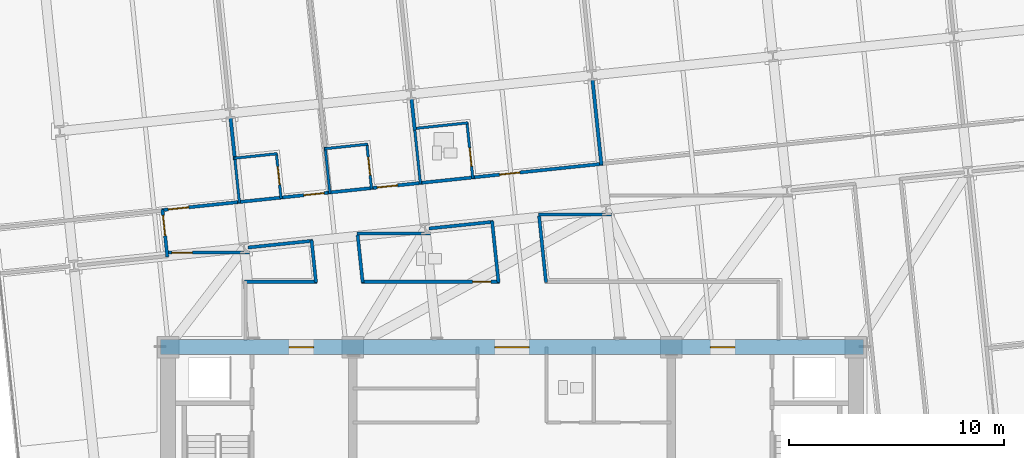
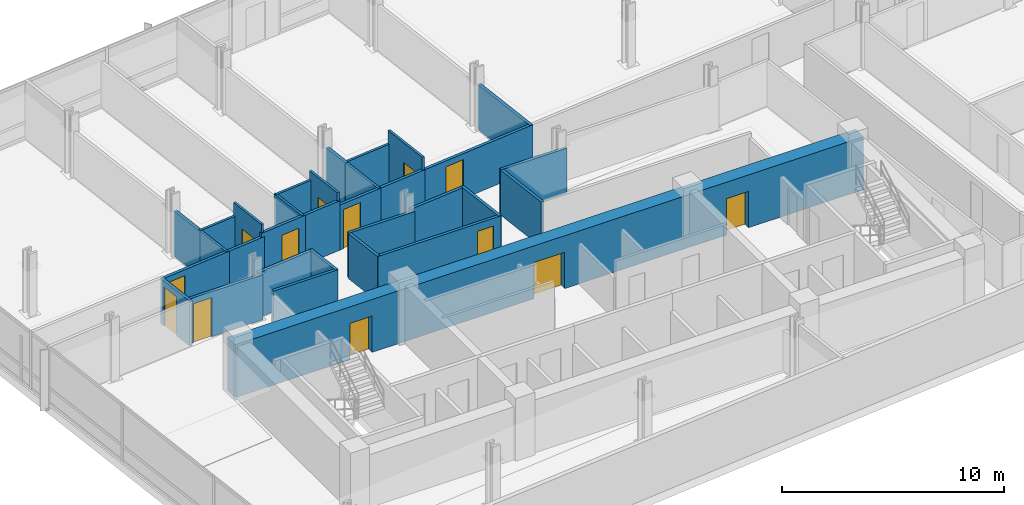
# One storey, part 11 of 18: 32 walls, 13 doors, 13 openings.
"""IFC4 building model written with IfcOpenShell, lengths in metres."""

from ifc_helpers import new_model, si_unit, direction, frame, frame_2d, origin, place, context, subcontext, project, spatial, rectangle, extrude, material, layer, layer_set, type_object, element, fill, save


model = new_model("IFC4")

# Units and contexts
model_context = context("Model", 3, precision=1e-05, world=origin(), true_north=direction((0.0, 1.0)))
body_context = subcontext(model_context, "Body", "Model", "MODEL_VIEW")
ifc_project = project(units=[si_unit("LENGTHUNIT", "METRE"), si_unit("AREAUNIT", "SQUARE_METRE"), si_unit("VOLUMEUNIT", "CUBIC_METRE"), si_unit("PLANEANGLEUNIT", "RADIAN"), si_unit("MASSUNIT", "GRAM", prefix="KILO")], contexts=[model_context])

# Site, building, storey
site_placement = place(None, origin())
site = spatial("IfcSite", under=ifc_project, at=site_placement, CompositionType="ELEMENT")
building_placement = place(site_placement, origin())
building = spatial("IfcBuilding", under=site, at=building_placement, Name="Solmavex Isthmus Hotel", CompositionType="ELEMENT")
storey_placement = place(building_placement, frame((0.0, 0.0, 80.10009765625)))
storey = spatial("IfcBuildingStorey", under=building, at=storey_placement, Name="L21", CompositionType="ELEMENT", Elevation=80.10009765625)

# Walls
ifc_material_1 = material(Name="Gypsum plasterboard lining", Category="gypsum")
ifc_layer_1 = layer(ifc_material_1, 0.159912109375)
ifc_layer_set_1 = layer_set([ifc_layer_1], Name="Gypsum plasterboard lining")
wall_type_1 = type_object("IfcWallType", Name="IW-COMP-160", PredefinedType="PARTITIONING", material=ifc_layer_set_1)
wall_1_placement = place(storey_placement, frame((-13.0986328125, 8.206787109375, 0.0), z_axis=(0.0, 0.0, 1.0), x_axis=(0.104545242946, -0.99452013161, 0.0)))
element("IfcWall", 1, at=wall_1_placement, inside=storey, type_object=wall_type_1, Name="Interior Partition Wall W-L21-P037", PredefinedType="PARTITIONING", context=body_context, shape_type="SweptSolid", body=[
    extrude(rectangle(XDim=2.003662109375, YDim=0.159912109375, at=frame_2d((1.001953125, 0.0))), origin(), (0.0, 0.0, 1.0), 2.4794921875),
])
wall_2_placement = place(storey_placement, frame((-4.678955078125, 9.091796875, 0.0), z_axis=(0.0, 0.0, 1.0), x_axis=(0.104549570968, -0.994519676633, 0.0)))
element("IfcWall", 2, at=wall_2_placement, inside=storey, type_object=wall_type_1, Name="Interior Partition Wall W-L21-P048", PredefinedType="PARTITIONING", context=body_context, shape_type="SweptSolid", body=[
    extrude(rectangle(XDim=1.50390625, YDim=0.159912109375, at=frame_2d((0.751953125, 0.0))), origin(), (0.0, 0.0, 1.0), 2.4794921875),
])
wall_3_placement = place(storey_placement, frame((3.740478515625, 9.976806640625, 0.0), z_axis=(0.0, 0.0, 1.0), x_axis=(0.104551732594, -0.994519449388, 0.0)))
element("IfcWall", 3, at=wall_3_placement, inside=storey, type_object=wall_type_1, Name="Interior Partition Wall W-L21-P054", PredefinedType="PARTITIONING", context=body_context, shape_type="SweptSolid", body=[
    extrude(rectangle(XDim=4.01171875, YDim=0.159912109375, at=frame_2d((2.005859375, 0.0))), origin(), (0.0, 0.0, 1.0), 2.4794921875),
])

# Wall, opening, door
ifc_layer_2 = layer(ifc_material_1, 0.14990234375)
ifc_layer_set_2 = layer_set([ifc_layer_2], Name="Gypsum plasterboard lining")
wall_type_2 = type_object("IfcWallType", Name="IW-CORR-150", PredefinedType="PARTITIONING", material=ifc_layer_set_2)
wall_4_placement = place(storey_placement, frame((-16.303466796875, 3.87646484375, 0.0), z_axis=(0.0, 0.0, 1.0), x_axis=(0.994525204328, 0.104496975826, 0.0)))
wall_4 = element("IfcWall", 4, at=wall_4_placement, inside=storey, type_object=wall_type_2, Name="Interior Partition Wall W-L21-P001", PredefinedType="PARTITIONING", context=body_context, shape_type="SweptSolid", body=[
    extrude(rectangle(XDim=3.7216796875, YDim=0.14990234375, at=frame_2d((1.86083984375, 0.0))), origin(), (0.0, 0.0, 1.0), 2.4794921875),
])
opening_1_placement = place(wall_4_placement, frame((0.315185546875, 0.0, 0.0)))
opening_1 = element("IfcOpeningElement", 5, at=opening_1_placement, cuts=wall_4, Name="Opening ID-C095", PredefinedType="OPENING", context=body_context, shape_type="SweptSolid", body=[
    extrude(rectangle(XDim=0.949951171875, YDim=2.14990234375, at=frame_2d((0.47509765625, 1.074951171875))), frame((0.0, 0.0849609375, 0.0), z_axis=(0.0, -1.0, 0.0), x_axis=(1.0, 0.0, 0.0)), (0.0, 0.0, 1.0), 0.169921875),
])
ifc_material_2 = material(Name="Hardwood timber", Category="wood")
door_type_1 = type_object("IfcDoorType", Name="IDR-FD60-0950", OperationType="NOTDEFINED", PredefinedType="DOOR", material=ifc_material_2)
door_1_placement = place(opening_1_placement, origin())
door_1 = element("IfcDoor", 6, at=door_1_placement, inside=storey, type_object=door_type_1, Name="Corporate Briefing Office Door L21-01", OperationType="SINGLE_SWING_LEFT", OverallHeight=2.14990234375, OverallWidth=0.949951171875, PredefinedType="DOOR", context=body_context, shape_type="SweptSolid", body=[
    extrude(rectangle(XDim=0.949951171875, YDim=2.14990234375, at=frame_2d((0.47509765625, 1.074951171875))), frame((0.0, 0.02490234375, 0.0), z_axis=(0.0, -1.0, 0.0), x_axis=(1.0, 0.0, 0.0)), (0.0, 0.0, 1.0), 0.050048828125),
])
fill(opening_1, door_1)

wall_5_placement = place(storey_placement, frame((-10.82861328125, 4.451904296875, 0.0), z_axis=(0.0, 0.0, 1.0), x_axis=(0.994531631715, 0.104435786577, 0.0)))
wall_5 = element("IfcWall", 7, at=wall_5_placement, inside=storey, type_object=wall_type_2, Name="Interior Partition Wall W-L21-P002", PredefinedType="PARTITIONING", context=body_context, shape_type="SweptSolid", body=[
    extrude(rectangle(XDim=2.449951171875, YDim=0.14990234375, at=frame_2d((1.22509765625, 0.0))), origin(), (0.0, 0.0, 1.0), 2.718017578125),
])
opening_2_placement = place(wall_5_placement, frame((1.14794921875, 0.0, 0.0)))
opening_2 = element("IfcOpeningElement", 8, at=opening_2_placement, cuts=wall_5, Name="Opening ID-C095", PredefinedType="OPENING", context=body_context, shape_type="SweptSolid", body=[
    extrude(rectangle(XDim=0.949951171875, YDim=2.14990234375, at=frame_2d((0.47509765625, 1.074951171875))), frame((0.0, 0.0849609375, 0.0), z_axis=(0.0, -1.0, 0.0), x_axis=(1.0, 0.0, 0.0)), (0.0, 0.0, 1.0), 0.169921875),
])
door_2_placement = place(opening_2_placement, origin())
door_2 = element("IfcDoor", 9, at=door_2_placement, inside=storey, type_object=door_type_1, Name="Club Guest Room Door L21-02", OperationType="SINGLE_SWING_RIGHT", OverallHeight=2.14990234375, OverallWidth=0.949951171875, PredefinedType="DOOR", context=body_context, shape_type="SweptSolid", body=[
    extrude(rectangle(XDim=0.949951171875, YDim=2.14990234375, at=frame_2d((0.47509765625, 1.074951171875))), frame((0.0, 0.02490234375, 0.0), z_axis=(0.0, -1.0, 0.0), x_axis=(1.0, 0.0, 0.0)), (0.0, 0.0, 1.0), 0.050048828125),
])
fill(opening_2, door_2)

# Wall
wall_6_placement = place(storey_placement, frame((-12.76513671875, 4.248291015625, 0.0), z_axis=(0.0, 0.0, 1.0), x_axis=(0.994520650134, 0.1045403102, 0.0)))
element("IfcWall", 10, at=wall_6_placement, inside=storey, type_object=wall_type_2, Name="Interior Partition Wall W-L21-P003", PredefinedType="PARTITIONING", context=body_context, shape_type="SweptSolid", body=[
    extrude(rectangle(XDim=2.111083984375, YDim=0.14990234375, at=frame_2d((1.0556640625, 0.0))), origin(), (0.0, 0.0, 1.0), 2.4794921875),
])

# Wall, opening, door
wall_7_placement = place(storey_placement, frame((-6.61865234375, 4.894287109375, 0.0), z_axis=(0.0, 0.0, 1.0), x_axis=(0.99452018747, 0.10454471156, 0.0)))
wall_7 = element("IfcWall", 11, at=wall_7_placement, inside=storey, type_object=wall_type_2, Name="Interior Partition Wall W-L21-P004", PredefinedType="PARTITIONING", context=body_context, shape_type="SweptSolid", body=[
    extrude(rectangle(XDim=2.44970703125, YDim=0.14990234375, at=frame_2d((1.224853515625, 0.0))), origin(), (0.0, 0.0, 1.0), 2.4794921875),
])
opening_3_placement = place(wall_7_placement, frame((0.351806640625, 0.0, 0.0)))
opening_3 = element("IfcOpeningElement", 12, at=opening_3_placement, cuts=wall_7, Name="Opening ID-C095", PredefinedType="OPENING", context=body_context, shape_type="SweptSolid", body=[
    extrude(rectangle(XDim=0.949951171875, YDim=2.14990234375, at=frame_2d((0.47509765625, 1.074951171875))), frame((0.0, 0.0849609375, 0.0), z_axis=(0.0, -1.0, 0.0), x_axis=(1.0, 0.0, 0.0)), (0.0, 0.0, 1.0), 0.169921875),
])
door_3_placement = place(opening_3_placement, origin())
door_3 = element("IfcDoor", 13, at=door_3_placement, inside=storey, type_object=door_type_1, Name="Accessible Guest Room Door L21-04", OperationType="SINGLE_SWING_RIGHT", OverallHeight=2.14990234375, OverallWidth=0.949951171875, PredefinedType="DOOR", context=body_context, shape_type="SweptSolid", body=[
    extrude(rectangle(XDim=0.949951171875, YDim=2.14990234375, at=frame_2d((0.47509765625, 1.074951171875))), frame((0.0, 0.02490234375, 0.0), z_axis=(0.0, -1.0, 0.0), x_axis=(1.0, 0.0, 0.0)), (0.0, 0.0, 1.0), 0.050048828125),
])
fill(opening_3, door_3)

# Wall
wall_8_placement = place(storey_placement, frame((-8.55517578125, 4.690673828125, 0.0), z_axis=(0.0, 0.0, 1.0), x_axis=(0.994520650134, 0.1045403102, 0.0)))
element("IfcWall", 14, at=wall_8_placement, inside=storey, type_object=wall_type_2, Name="Interior Partition Wall W-L21-P005", PredefinedType="PARTITIONING", context=body_context, shape_type="SweptSolid", body=[
    extrude(rectangle(XDim=2.111083984375, YDim=0.14990234375, at=frame_2d((1.0556640625, 0.0))), origin(), (0.0, 0.0, 1.0), 2.718017578125),
])

# Wall, opening, door
wall_9_placement = place(storey_placement, frame((-1.908935546875, 5.389404296875, 0.0), z_axis=(0.0, 0.0, 1.0), x_axis=(0.994521891766, 0.104528497542, 0.0)))
wall_9 = element("IfcWall", 15, at=wall_9_placement, inside=storey, type_object=wall_type_2, Name="Interior Partition Wall W-L21-P006", PredefinedType="PARTITIONING", context=body_context, shape_type="SweptSolid", body=[
    extrude(rectangle(XDim=6.18017578125, YDim=0.14990234375, at=frame_2d((3.090087890625, 0.0))), origin(), (0.0, 0.0, 1.0), 2.4794921875),
])
opening_4_placement = place(wall_9_placement, frame((1.333984375, 0.0, 0.0)))
opening_4 = element("IfcOpeningElement", 16, at=opening_4_placement, cuts=wall_9, Name="Opening ID-C095", PredefinedType="OPENING", context=body_context, shape_type="SweptSolid", body=[
    extrude(rectangle(XDim=0.949951171875, YDim=2.14990234375, at=frame_2d((0.47509765625, 1.074951171875))), frame((0.0, 0.0849609375, 0.0), z_axis=(0.0, -1.0, 0.0), x_axis=(1.0, 0.0, 0.0)), (0.0, 0.0, 1.0), 0.169921875),
])
door_4_placement = place(opening_4_placement, origin())
door_4 = element("IfcDoor", 17, at=door_4_placement, inside=storey, type_object=door_type_1, Name="Junior Suite Door L21-06", OperationType="SINGLE_SWING_RIGHT", OverallHeight=2.14990234375, OverallWidth=0.949951171875, PredefinedType="DOOR", context=body_context, shape_type="SweptSolid", body=[
    extrude(rectangle(XDim=0.949951171875, YDim=2.14990234375, at=frame_2d((0.47509765625, 1.074951171875))), frame((0.0, 0.02490234375, 0.0), z_axis=(0.0, -1.0, 0.0), x_axis=(1.0, 0.0, 0.0)), (0.0, 0.0, 1.0), 0.050048828125),
])
fill(opening_4, door_4)

# Walls
wall_10_placement = place(storey_placement, frame((-4.345458984375, 5.13330078125, 0.0), z_axis=(0.0, 0.0, 1.0), x_axis=(0.994523350694, 0.104514615837, 0.0)))
element("IfcWall", 18, at=wall_10_placement, inside=storey, type_object=wall_type_2, Name="Interior Partition Wall W-L21-P007", PredefinedType="PARTITIONING", context=body_context, shape_type="SweptSolid", body=[
    extrude(rectangle(XDim=2.614013671875, YDim=0.14990234375, at=frame_2d((1.30712890625, 0.0))), origin(), (0.0, 0.0, 1.0), 2.4794921875),
])
wall_11_placement = place(storey_placement, frame((-0.626708984375, 0.51025390625, 0.0), z_axis=(0.0, 0.0, 1.0), x_axis=(-0.104569907609, 0.994517538519, 0.0)))
element("IfcWall", 19, at=wall_11_placement, inside=storey, type_object=wall_type_2, Name="Interior Partition Wall W-L21-P010", PredefinedType="PARTITIONING", context=body_context, shape_type="SweptSolid", body=[
    extrude(rectangle(XDim=2.87646484375, YDim=0.14990234375, at=frame_2d((1.438232421875, 0.0))), origin(), (0.0, 0.0, 1.0), 2.4794921875),
])
wall_12_placement = place(storey_placement, frame((-0.883544921875, 3.335205078125, 0.0), z_axis=(0.0, 0.0, 1.0), x_axis=(-0.994522848096, -0.104519398272, 0.0)))
element("IfcWall", 20, at=wall_12_placement, inside=storey, type_object=wall_type_2, Name="Interior Partition Wall W-L21-P011", PredefinedType="PARTITIONING", context=body_context, shape_type="SweptSolid", body=[
    extrude(rectangle(XDim=2.996826171875, YDim=0.14990234375, at=frame_2d((1.49853515625, 0.0))), origin(), (0.0, 0.0, 1.0), 2.4794921875),
])
wall_13_placement = place(storey_placement, frame((-3.7841796875, 2.78857421875, 0.0), z_axis=(0.0, 0.0, 1.0), x_axis=(-1.0, 0.0, 0.0)))
element("IfcWall", 21, at=wall_13_placement, inside=storey, type_object=wall_type_2, Name="Interior Partition Wall W-L21-P012", PredefinedType="PARTITIONING", context=body_context, shape_type="SweptSolid", body=[
    extrude(rectangle(XDim=3.430419921875, YDim=0.14990234375, at=frame_2d((1.71533203125, 0.0))), origin(), (0.0, 0.0, 1.0), 2.4794921875),
])
wall_14_placement = place(storey_placement, frame((-7.178955078125, 2.7138671875, 0.0), z_axis=(0.0, 0.0, 1.0), x_axis=(0.104455355485, -0.994529576589, 0.0)))
element("IfcWall", 22, at=wall_14_placement, inside=storey, type_object=wall_type_2, Name="Interior Partition Wall W-L21-P013", PredefinedType="PARTITIONING", context=body_context, shape_type="SweptSolid", body=[
    extrude(rectangle(XDim=2.2158203125, YDim=0.14990234375, at=frame_2d((1.10791015625, 0.0))), origin(), (0.0, 0.0, 1.0), 2.4794921875),
])

# Wall, opening, door
wall_15_placement = place(storey_placement, frame((-6.99169921875, 0.550048828125, 0.0), z_axis=(0.0, 0.0, 1.0), x_axis=(1.0, 0.0, 0.0)))
wall_15 = element("IfcWall", 23, at=wall_15_placement, inside=storey, type_object=wall_type_2, Name="Interior Partition Wall W-L21-P014", PredefinedType="PARTITIONING", context=body_context, shape_type="SweptSolid", body=[
    extrude(rectangle(XDim=6.400634765625, YDim=0.14990234375, at=frame_2d((3.2001953125, 0.0))), origin(), (0.0, 0.0, 1.0), 2.4794921875),
])
opening_5_placement = place(wall_15_placement, frame((5.16455078125, 0.0, 0.0)))
opening_5 = element("IfcOpeningElement", 24, at=opening_5_placement, cuts=wall_15, Name="Opening ID-R085", PredefinedType="OPENING", context=body_context, shape_type="SweptSolid", body=[
    extrude(rectangle(XDim=0.85009765625, YDim=2.050048828125, at=frame_2d((0.425048828125, 1.02490234375))), frame((0.0, 0.0849609375, 0.0), z_axis=(0.0, -1.0, 0.0), x_axis=(1.0, 0.0, 0.0)), (0.0, 0.0, 1.0), 0.169921875),
])
ifc_material_3 = material(Name="Steel ASTM A500 Grade C", Category="steel")
door_type_2 = type_object("IfcDoorType", Name="IDR-FD60-0850", OperationType="NOTDEFINED", PredefinedType="DOOR", material=ifc_material_3)
door_5_placement = place(opening_5_placement, frame((0.85009765625, 0.0, 0.0), z_axis=(0.0, 0.0, 1.0), x_axis=(-1.0, 0.0, 0.0)))
door_5 = element("IfcDoor", 25, at=door_5_placement, inside=storey, type_object=door_type_2, Name="Accessible Public Restroom WC Door L21-10", OperationType="SINGLE_SWING_RIGHT", OverallHeight=2.050048828125, OverallWidth=0.85009765625, PredefinedType="DOOR", context=body_context, shape_type="SweptSolid", body=[
    extrude(rectangle(XDim=0.85009765625, YDim=2.050048828125, at=frame_2d((0.425048828125, 1.02490234375))), frame((0.0, 0.02490234375, 0.0), z_axis=(0.0, -1.0, 0.0), x_axis=(1.0, 0.0, 0.0)), (0.0, 0.0, 1.0), 0.050048828125),
])
fill(opening_5, door_5)

wall_16_placement = place(storey_placement, frame((-16.034912109375, 1.70263671875, 0.0), z_axis=(0.0, 0.0, 1.0), x_axis=(-0.104512255544, 0.994523598735, 0.0)))
wall_16 = element("IfcWall", 26, at=wall_16_placement, inside=storey, type_object=wall_type_2, Name="Interior Partition Wall W-L21-P016", PredefinedType="PARTITIONING", context=body_context, shape_type="SweptSolid", body=[
    extrude(rectangle(XDim=2.2099609375, YDim=0.14990234375, at=frame_2d((1.10498046875, 0.0))), origin(), (0.0, 0.0, 1.0), 2.4794921875),
])
opening_6_placement = place(wall_16_placement, frame((0.98779296875, 0.0, 0.0)))
opening_6 = element("IfcOpeningElement", 27, at=opening_6_placement, cuts=wall_16, Name="Opening ID-C095", PredefinedType="OPENING", context=body_context, shape_type="SweptSolid", body=[
    extrude(rectangle(XDim=0.949951171875, YDim=2.14990234375, at=frame_2d((0.47509765625, 1.074951171875))), frame((0.0, 0.0849609375, 0.0), z_axis=(0.0, -1.0, 0.0), x_axis=(1.0, 0.0, 0.0)), (0.0, 0.0, 1.0), 0.169921875),
])
door_6_placement = place(opening_6_placement, origin())
door_6 = element("IfcDoor", 28, at=door_6_placement, inside=storey, type_object=door_type_1, Name="Concierge Reception Door L21-12", OperationType="SINGLE_SWING_RIGHT", OverallHeight=2.14990234375, OverallWidth=0.949951171875, PredefinedType="DOOR", context=body_context, shape_type="SweptSolid", body=[
    extrude(rectangle(XDim=0.949951171875, YDim=2.14990234375, at=frame_2d((0.47509765625, 1.074951171875))), frame((0.0, 0.02490234375, 0.0), z_axis=(0.0, -1.0, 0.0), x_axis=(1.0, 0.0, 0.0)), (0.0, 0.0, 1.0), 0.050048828125),
])
fill(opening_6, door_6)

# Walls
wall_17_placement = place(storey_placement, frame((4.635498046875, 3.673583984375, 0.0), z_axis=(0.0, 0.0, 1.0), x_axis=(-1.0, 0.0, 0.0)))
element("IfcWall", 29, at=wall_17_placement, inside=storey, type_object=wall_type_2, Name="Interior Partition Wall W-L21-P025", PredefinedType="PARTITIONING", context=body_context, shape_type="SweptSolid", body=[
    extrude(rectangle(XDim=3.41064453125, YDim=0.14990234375, at=frame_2d((1.705322265625, 0.0))), origin(), (0.0, 0.0, 1.0), 2.4794921875),
])
wall_18_placement = place(storey_placement, frame((1.260498046875, 3.600830078125, 0.0), z_axis=(0.0, 0.0, 1.0), x_axis=(0.104488483176, -0.994526096633, 0.0)))
element("IfcWall", 30, at=wall_18_placement, inside=storey, type_object=wall_type_2, Name="Interior Partition Wall W-L21-P026", PredefinedType="PARTITIONING", context=body_context, shape_type="SweptSolid", body=[
    extrude(rectangle(XDim=3.107666015625, YDim=0.14990234375, at=frame_2d((1.5537109375, 0.0))), origin(), (0.0, 0.0, 1.0), 2.4794921875),
])
wall_19_placement = place(storey_placement, frame((-12.43994140625, 0.550048828125, 0.0), z_axis=(0.0, 0.0, 1.0), x_axis=(1.0, 0.0, 0.0)))
element("IfcWall", 31, at=wall_19_placement, inside=storey, type_object=wall_type_2, Name="Interior Partition Wall W-L21-P030", PredefinedType="PARTITIONING", context=body_context, shape_type="SweptSolid", body=[
    extrude(rectangle(XDim=3.3564453125, YDim=0.14990234375, at=frame_2d((1.67822265625, 0.0))), origin(), (0.0, 0.0, 1.0), 2.4794921875),
])
wall_20_placement = place(storey_placement, frame((-9.119384765625, 0.51025390625, 0.0), z_axis=(0.0, 0.0, 1.0), x_axis=(-0.104473893665, 0.994527629351, 0.0)))
element("IfcWall", 32, at=wall_20_placement, inside=storey, type_object=wall_type_2, Name="Interior Partition Wall W-L21-P031", PredefinedType="PARTITIONING", context=body_context, shape_type="SweptSolid", body=[
    extrude(rectangle(XDim=1.98876953125, YDim=0.14990234375, at=frame_2d((0.994384765625, 0.0))), origin(), (0.0, 0.0, 1.0), 2.4794921875),
])
wall_21_placement = place(storey_placement, frame((-9.283203125, 2.452392578125, 0.0), z_axis=(0.0, 0.0, 1.0), x_axis=(-0.994518748051, -0.104558403652, 0.0)))
element("IfcWall", 33, at=wall_21_placement, inside=storey, type_object=wall_type_2, Name="Interior Partition Wall W-L21-P032", PredefinedType="PARTITIONING", context=body_context, shape_type="SweptSolid", body=[
    extrude(rectangle(XDim=3.016845703125, YDim=0.14990234375, at=frame_2d((1.50830078125, 0.0))), origin(), (0.0, 0.0, 1.0), 2.4794921875),
])

# Wall, opening, door
wall_22_placement = place(storey_placement, frame((-12.203857421875, 1.903564453125, 0.0), z_axis=(0.0, 0.0, 1.0), x_axis=(-1.0, 0.0, 0.0)))
wall_22 = element("IfcWall", 34, at=wall_22_placement, inside=storey, type_object=wall_type_2, Name="Interior Partition Wall W-L21-P033", PredefinedType="PARTITIONING", context=body_context, shape_type="SweptSolid", body=[
    extrude(rectangle(XDim=3.875, YDim=0.14990234375, at=frame_2d((1.9375, 0.0))), origin(), (0.0, 0.0, 1.0), 2.4794921875),
])
opening_7_placement = place(wall_22_placement, frame((2.6669921875, 0.0, 0.0)))
opening_7 = element("IfcOpeningElement", 35, at=opening_7_placement, cuts=wall_22, Name="Opening ID-C095", PredefinedType="OPENING", context=body_context, shape_type="SweptSolid", body=[
    extrude(rectangle(XDim=0.949951171875, YDim=2.14990234375, at=frame_2d((0.47509765625, 1.074951171875))), frame((0.0, 0.0849609375, 0.0), z_axis=(0.0, -1.0, 0.0), x_axis=(1.0, 0.0, 0.0)), (0.0, 0.0, 1.0), 0.169921875),
])
door_7_placement = place(opening_7_placement, origin())
door_7 = element("IfcDoor", 36, at=door_7_placement, inside=storey, type_object=door_type_1, Name="Concierge Reception Door L21-17", OperationType="SINGLE_SWING_LEFT", OverallHeight=2.14990234375, OverallWidth=0.949951171875, PredefinedType="DOOR", context=body_context, shape_type="SweptSolid", body=[
    extrude(rectangle(XDim=0.949951171875, YDim=2.14990234375, at=frame_2d((0.47509765625, 1.074951171875))), frame((0.0, 0.02490234375, 0.0), z_axis=(0.0, -1.0, 0.0), x_axis=(1.0, 0.0, 0.0)), (0.0, 0.0, 1.0), 0.050048828125),
])
fill(opening_7, door_7)

# Wall
ifc_layer_3 = layer(ifc_material_1, 0.1201171875)
ifc_layer_set_3 = layer_set([ifc_layer_3], Name="Gypsum plasterboard lining")
wall_type_3 = type_object("IfcWallType", Name="IW-PART-120", PredefinedType="PARTITIONING", material=ifc_layer_set_3)
wall_23_placement = place(storey_placement, frame((-12.90625, 6.377197265625, 0.0), z_axis=(0.0, 0.0, 1.0), x_axis=(0.104532657405, -0.994521454538, 0.0)))
element("IfcWall", 37, at=wall_23_placement, inside=storey, type_object=wall_type_3, Name="Interior Partition Wall W-L21-P038", PredefinedType="PARTITIONING", context=body_context, shape_type="SweptSolid", body=[
    extrude(rectangle(XDim=2.172119140625, YDim=0.1201171875, at=frame_2d((1.0859375, 0.0))), origin(), (0.0, 0.0, 1.0), 2.4794921875),
])

# Wall, opening, door
wall_24_placement = place(storey_placement, frame((-10.742919921875, 4.420654296875, 0.0), z_axis=(0.0, 0.0, 1.0), x_axis=(-0.104428197609, 0.994532428604, 0.0)))
wall_24 = element("IfcWall", 38, at=wall_24_placement, inside=storey, type_object=wall_type_3, Name="Interior Partition Wall W-L21-P040", PredefinedType="PARTITIONING", context=body_context, shape_type="SweptSolid", body=[
    extrude(rectangle(XDim=2.1298828125, YDim=0.1201171875, at=frame_2d((1.06494140625, 0.0))), origin(), (0.0, 0.0, 1.0), 3.18994140625),
])
opening_8_placement = place(wall_24_placement, frame((0.639892578125, 0.0, 0.0)))
opening_8 = element("IfcOpeningElement", 39, at=opening_8_placement, cuts=wall_24, Name="Opening ID-U085", PredefinedType="OPENING", context=body_context, shape_type="SweptSolid", body=[
    extrude(rectangle(XDim=0.85009765625, YDim=2.10009765625, at=frame_2d((0.425048828125, 1.050048828125))), frame((0.0, 0.070068359375, 0.0), z_axis=(0.0, -1.0, 0.0), x_axis=(1.0, 0.0, 0.0)), (0.0, 0.0, 1.0), 0.14013671875),
])
door_type_3 = type_object("IfcDoorType", Name="IDR-UNR-0850", OperationType="NOTDEFINED", PredefinedType="DOOR", material=ifc_material_2)
door_8_placement = place(opening_8_placement, frame((0.85009765625, 0.0, 0.0), z_axis=(0.0, 0.0, 1.0), x_axis=(-1.0, 0.0, 0.0)))
door_8 = element("IfcDoor", 40, at=door_8_placement, inside=storey, type_object=door_type_3, Name="En-suite Bathroom Door L21-03", OperationType="SINGLE_SWING_LEFT", OverallHeight=2.10009765625, OverallWidth=0.85009765625, PredefinedType="DOOR", context=body_context, shape_type="SweptSolid", body=[
    extrude(rectangle(XDim=0.85009765625, YDim=2.10009765625, at=frame_2d((0.425048828125, 1.050048828125))), frame((0.0, 0.02490234375, 0.0), z_axis=(0.0, -1.0, 0.0), x_axis=(1.0, 0.0, 0.0)), (0.0, 0.0, 1.0), 0.050048828125),
])
fill(opening_8, door_8)

# Walls
wall_25_placement = place(storey_placement, frame((-10.92138671875, 6.50341796875, 0.0), z_axis=(0.0, 0.0, 1.0), x_axis=(-0.994521279075, -0.104534326742, 0.0)))
element("IfcWall", 41, at=wall_25_placement, inside=storey, type_object=wall_type_3, Name="Interior Partition Wall W-L21-P041", PredefinedType="PARTITIONING", context=body_context, shape_type="SweptSolid", body=[
    extrude(rectangle(XDim=2.027099609375, YDim=0.1201171875, at=frame_2d((1.013671875, 0.0))), origin(), (0.0, 0.0, 1.0), 2.4794921875),
])
wall_26_placement = place(storey_placement, frame((-8.696533203125, 6.819580078125, 0.0), z_axis=(0.0, 0.0, 1.0), x_axis=(0.104532657405, -0.994521454538, 0.0)))
element("IfcWall", 42, at=wall_26_placement, inside=storey, type_object=wall_type_3, Name="Interior Partition Wall W-L21-P043", PredefinedType="PARTITIONING", context=body_context, shape_type="SweptSolid", body=[
    extrude(rectangle(XDim=2.172119140625, YDim=0.1201171875, at=frame_2d((1.0859375, 0.0))), origin(), (0.0, 0.0, 1.0), 2.718017578125),
])

# Wall, opening, door
wall_27_placement = place(storey_placement, frame((-6.532958984375, 4.863037109375, 0.0), z_axis=(0.0, 0.0, 1.0), x_axis=(-0.104529659321, 0.994521769657, 0.0)))
wall_27 = element("IfcWall", 43, at=wall_27_placement, inside=storey, type_object=wall_type_3, Name="Interior Partition Wall W-L21-P044", PredefinedType="PARTITIONING", context=body_context, shape_type="SweptSolid", body=[
    extrude(rectangle(XDim=2.130126953125, YDim=0.1201171875, at=frame_2d((1.06494140625, 0.0))), origin(), (0.0, 0.0, 1.0), 3.18994140625),
])
opening_9_placement = place(wall_27_placement, frame((0.639892578125, 0.0, 0.0)))
opening_9 = element("IfcOpeningElement", 44, at=opening_9_placement, cuts=wall_27, Name="Opening ID-U085", PredefinedType="OPENING", context=body_context, shape_type="SweptSolid", body=[
    extrude(rectangle(XDim=0.85009765625, YDim=2.10009765625, at=frame_2d((0.425048828125, 1.050048828125))), frame((0.0, 0.070068359375, 0.0), z_axis=(0.0, -1.0, 0.0), x_axis=(1.0, 0.0, 0.0)), (0.0, 0.0, 1.0), 0.14013671875),
])
door_9_placement = place(opening_9_placement, origin())
door_9 = element("IfcDoor", 45, at=door_9_placement, inside=storey, type_object=door_type_3, Name="En-suite Bathroom Door L21-05", OperationType="SINGLE_SWING_LEFT", OverallHeight=2.10009765625, OverallWidth=0.85009765625, PredefinedType="DOOR", context=body_context, shape_type="SweptSolid", body=[
    extrude(rectangle(XDim=0.85009765625, YDim=2.10009765625, at=frame_2d((0.425048828125, 1.050048828125))), frame((0.0, 0.02490234375, 0.0), z_axis=(0.0, -1.0, 0.0), x_axis=(1.0, 0.0, 0.0)), (0.0, 0.0, 1.0), 0.050048828125),
])
fill(opening_9, door_9)

# Walls
wall_28_placement = place(storey_placement, frame((-6.711669921875, 6.94580078125, 0.0), z_axis=(0.0, 0.0, 1.0), x_axis=(-0.994521279075, -0.104534326742, 0.0)))
element("IfcWall", 46, at=wall_28_placement, inside=storey, type_object=wall_type_3, Name="Interior Partition Wall W-L21-P045", PredefinedType="PARTITIONING", context=body_context, shape_type="SweptSolid", body=[
    extrude(rectangle(XDim=2.027099609375, YDim=0.1201171875, at=frame_2d((1.013671875, 0.0))), origin(), (0.0, 0.0, 1.0), 2.718017578125),
])
wall_29_placement = place(storey_placement, frame((-4.5390625, 7.75927734375, 0.0), z_axis=(0.0, 0.0, 1.0), x_axis=(0.104532575691, -0.994521463127, 0.0)))
element("IfcWall", 47, at=wall_29_placement, inside=storey, type_object=wall_type_3, Name="Interior Partition Wall W-L21-P049", PredefinedType="PARTITIONING", context=body_context, shape_type="SweptSolid", body=[
    extrude(rectangle(XDim=2.671875, YDim=0.1201171875, at=frame_2d((1.3359375, 0.0))), origin(), (0.0, 0.0, 1.0), 2.4794921875),
])

# Wall, opening, door
wall_30_placement = place(storey_placement, frame((-1.822998046875, 5.358154296875, 0.0), z_axis=(0.0, 0.0, 1.0), x_axis=(-0.104530146087, 0.994521718495, 0.0)))
wall_30 = element("IfcWall", 48, at=wall_30_placement, inside=storey, type_object=wall_type_3, Name="Interior Partition Wall W-L21-P050", PredefinedType="PARTITIONING", context=body_context, shape_type="SweptSolid", body=[
    extrude(rectangle(XDim=2.6298828125, YDim=0.1201171875, at=frame_2d((1.31494140625, 0.0))), origin(), (0.0, 0.0, 1.0), 3.18994140625),
])
opening_10_placement = place(wall_30_placement, frame((0.568603515625, 0.0, 0.0)))
opening_10 = element("IfcOpeningElement", 49, at=opening_10_placement, cuts=wall_30, Name="Opening ID-U085", PredefinedType="OPENING", context=body_context, shape_type="SweptSolid", body=[
    extrude(rectangle(XDim=0.85009765625, YDim=2.10009765625, at=frame_2d((0.425048828125, 1.050048828125))), frame((0.0, 0.070068359375, 0.0), z_axis=(0.0, -1.0, 0.0), x_axis=(1.0, 0.0, 0.0)), (0.0, 0.0, 1.0), 0.14013671875),
])
door_10_placement = place(opening_10_placement, frame((0.85009765625, 0.0, 0.0), z_axis=(0.0, 0.0, 1.0), x_axis=(-1.0, 0.0, 0.0)))
door_10 = element("IfcDoor", 50, at=door_10_placement, inside=storey, type_object=door_type_3, Name="En-suite Bathroom Door L21-07", OperationType="SINGLE_SWING_LEFT", OverallHeight=2.10009765625, OverallWidth=0.85009765625, PredefinedType="DOOR", context=body_context, shape_type="SweptSolid", body=[
    extrude(rectangle(XDim=0.85009765625, YDim=2.10009765625, at=frame_2d((0.425048828125, 1.050048828125))), frame((0.0, 0.02490234375, 0.0), z_axis=(0.0, -1.0, 0.0), x_axis=(1.0, 0.0, 0.0)), (0.0, 0.0, 1.0), 0.050048828125),
])
fill(opening_10, door_10)

# Wall
wall_31_placement = place(storey_placement, frame((-2.053955078125, 7.93798828125, 0.0), z_axis=(0.0, 0.0, 1.0), x_axis=(-0.994524997964, -0.104498939827, 0.0)))
element("IfcWall", 51, at=wall_31_placement, inside=storey, type_object=wall_type_3, Name="Interior Partition Wall W-L21-P051", PredefinedType="PARTITIONING", context=body_context, shape_type="SweptSolid", body=[
    extrude(rectangle(XDim=2.5302734375, YDim=0.1201171875, at=frame_2d((1.26513671875, 0.0))), origin(), (0.0, 0.0, 1.0), 2.4794921875),
])

# Wall, openings, doors
ifc_material_4 = material(Name="Concrete C60/75", Category="concrete")
ifc_layer_4 = layer(ifc_material_4, 0.699951171875)
ifc_layer_set_4 = layer_set([ifc_layer_4], Name="Concrete C60/75")
wall_type_4 = type_object("IfcWallType", Name="WALL-CW-700", PredefinedType="SHEAR", material=ifc_layer_set_4)
wall_32_placement = place(storey_placement, frame((-16.35009765625, -2.5, 0.0), z_axis=(0.0, 0.0, 1.0), x_axis=(1.0, 0.0, 0.0)))
wall_32 = element("IfcWall", 52, at=wall_32_placement, inside=storey, type_object=wall_type_4, Name="Core Shear Wall North L21", PredefinedType="SHEAR", context=body_context, shape_type="SweptSolid", body=[
    extrude(rectangle(XDim=32.7001953125, YDim=0.699951171875, at=frame_2d((16.35009765625, 0.0))), origin(), (0.0, 0.0, 1.0), 2.909912109375),
])
opening_11_placement = place(wall_32_placement, frame((5.97509765625, 0.0, 0.0)))
opening_11 = element("IfcOpeningElement", 53, at=opening_11_placement, cuts=wall_32, Name="Opening ID-F915", PredefinedType="OPENING", context=body_context, shape_type="SweptSolid", body=[
    extrude(rectangle(XDim=1.14990234375, YDim=2.0, at=frame_2d((0.574951171875, 1.0))), frame((0.0, 0.35986328125, 0.0), z_axis=(0.0, -1.0, 0.0), x_axis=(1.0, 0.0, 0.0)), (0.0, 0.0, 1.0), 0.719970703125),
])
opening_12_placement = place(wall_32_placement, frame((15.550048828125, 0.0, 0.0)))
opening_12 = element("IfcOpeningElement", 54, at=opening_12_placement, cuts=wall_32, Name="Opening ID-F960", PredefinedType="OPENING", context=body_context, shape_type="SweptSolid", body=[
    extrude(rectangle(XDim=1.60009765625, YDim=2.0, at=frame_2d((0.800048828125, 1.0))), frame((0.0, 0.35986328125, 0.0), z_axis=(0.0, -1.0, 0.0), x_axis=(1.0, 0.0, 0.0)), (0.0, 0.0, 1.0), 0.719970703125),
])
opening_13_placement = place(wall_32_placement, frame((25.574951171875, 0.0, 0.0)))
opening_13 = element("IfcOpeningElement", 55, at=opening_13_placement, cuts=wall_32, Name="Opening ID-F915", PredefinedType="OPENING", context=body_context, shape_type="SweptSolid", body=[
    extrude(rectangle(XDim=1.14990234375, YDim=2.0, at=frame_2d((0.574951171875, 1.0))), frame((0.0, 0.35986328125, 0.0), z_axis=(0.0, -1.0, 0.0), x_axis=(1.0, 0.0, 0.0)), (0.0, 0.0, 1.0), 0.719970703125),
])
door_type_4 = type_object("IfcDoorType", Name="IDR-FD90-1150C", OperationType="NOTDEFINED", PredefinedType="DOOR", material=ifc_material_3)
door_11_placement = place(opening_11_placement, origin())
door_11 = element("IfcDoor", 56, at=door_11_placement, inside=storey, type_object=door_type_4, Name="Firefighting Lobby West Exit Door L21", OperationType="SINGLE_SWING_LEFT", OverallHeight=2.0, OverallWidth=1.14990234375, PredefinedType="DOOR", context=body_context, shape_type="SweptSolid", body=[
    extrude(rectangle(XDim=1.14990234375, YDim=2.0, at=frame_2d((0.574951171875, 1.0))), frame((0.0, 0.02490234375, 0.0), z_axis=(0.0, -1.0, 0.0), x_axis=(1.0, 0.0, 0.0)), (0.0, 0.0, 1.0), 0.050048828125),
])
fill(opening_11, door_11)
door_12_placement = place(opening_13_placement, origin())
door_12 = element("IfcDoor", 57, at=door_12_placement, inside=storey, type_object=door_type_4, Name="Firefighting Lobby East Exit Door L21", OperationType="SINGLE_SWING_RIGHT", OverallHeight=2.0, OverallWidth=1.14990234375, PredefinedType="DOOR", context=body_context, shape_type="SweptSolid", body=[
    extrude(rectangle(XDim=1.14990234375, YDim=2.0, at=frame_2d((0.574951171875, 1.0))), frame((0.0, 0.02490234375, 0.0), z_axis=(0.0, -1.0, 0.0), x_axis=(1.0, 0.0, 0.0)), (0.0, 0.0, 1.0), 0.050048828125),
])
fill(opening_13, door_12)
door_type_5 = type_object("IfcDoorType", Name="IDR-FD90-1600C", OperationType="NOTDEFINED", PredefinedType="DOOR", material=ifc_material_3)
door_13_placement = place(opening_12_placement, origin())
door_13 = element("IfcDoor", 58, at=door_13_placement, inside=storey, type_object=door_type_5, Name="Central Lift Lobby Door L21", OperationType="DOUBLE_DOOR_SINGLE_SWING", OverallHeight=2.0, OverallWidth=1.60009765625, PredefinedType="DOOR", context=body_context, shape_type="SweptSolid", body=[
    extrude(rectangle(XDim=1.60009765625, YDim=2.0, at=frame_2d((0.800048828125, 1.0))), frame((0.0, 0.02490234375, 0.0), z_axis=(0.0, -1.0, 0.0), x_axis=(1.0, 0.0, 0.0)), (0.0, 0.0, 1.0), 0.050048828125),
])
fill(opening_12, door_13)

save(model, "model.ifc")
